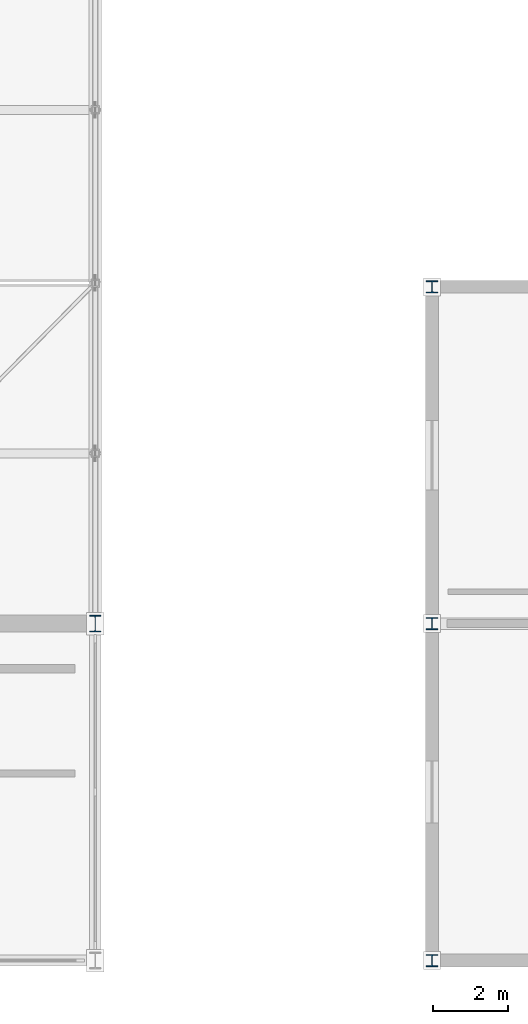
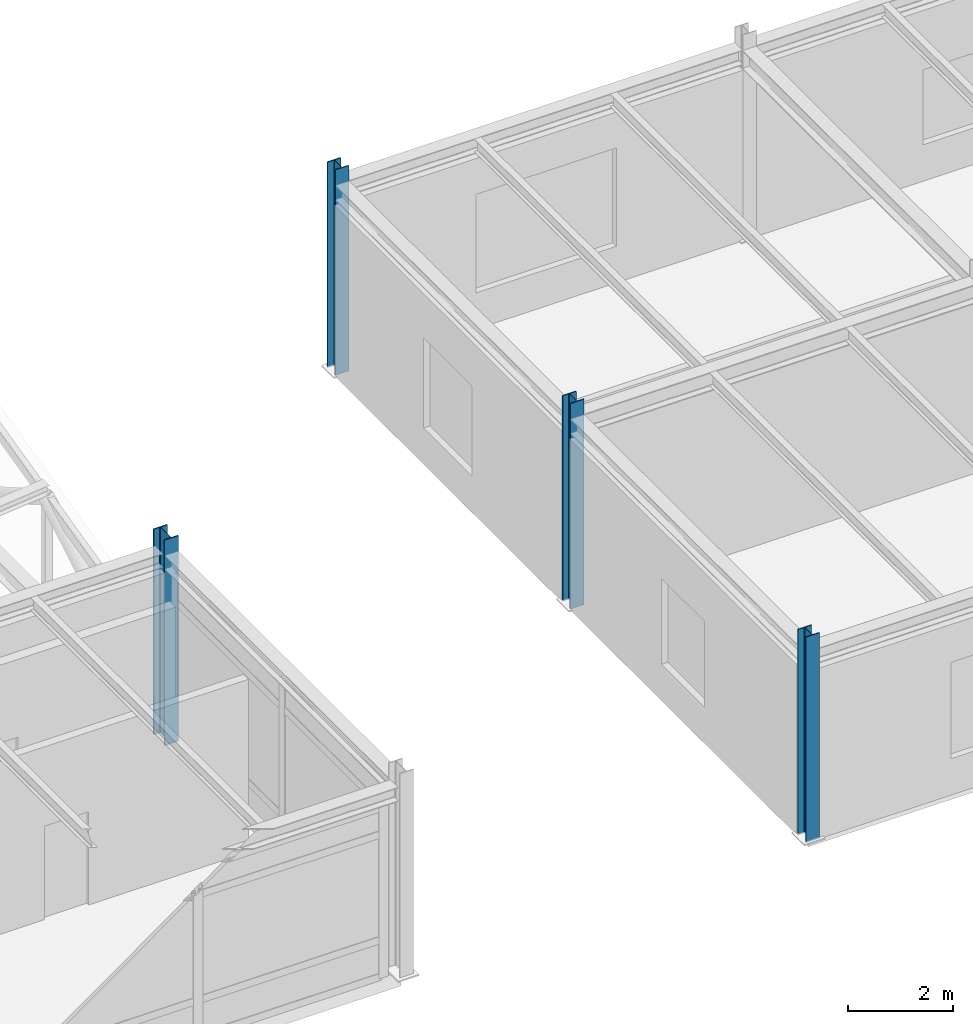
# One storey, part 4 of 90: 4 columns.
"""IFC4 building model written with IfcOpenShell, lengths in metres."""

from ifc_helpers import new_model, si_unit, direction, frame, origin, origin_2d, place, context, subcontext, project, spatial, i_section, extrude, material, material_profile, profile_set, type_object, element, save


model = new_model("IFC4")

# Units and contexts
model_context = context("Model", 3, precision=1e-05, world=origin(), true_north=direction((0.0, 1.0)))
body_context = subcontext(model_context, "Body", "Model", "MODEL_VIEW")
ifc_project = project(units=[si_unit("LENGTHUNIT", "METRE"), si_unit("AREAUNIT", "SQUARE_METRE"), si_unit("VOLUMEUNIT", "CUBIC_METRE"), si_unit("PLANEANGLEUNIT", "RADIAN"), si_unit("MASSUNIT", "GRAM", prefix="KILO")], contexts=[model_context])

# Site, building, storey
site_placement = place(None, origin())
site = spatial("IfcSite", under=ifc_project, at=site_placement, CompositionType="ELEMENT")
building_placement = place(site_placement, origin())
building = spatial("IfcBuilding", under=site, at=building_placement, Name="Bozkorgan Art Gallery", CompositionType="ELEMENT")
storey_placement = place(building_placement, frame((0.0, 0.0, 5.39990234375)))
storey = spatial("IfcBuildingStorey", under=building, at=storey_placement, Name="L01", CompositionType="ELEMENT", Elevation=5.39990234375)

# Columns
ifc_material = material(Name="Steel S355J2", Category="steel")
ifc_material_profile_1 = material_profile(ifc_material, i_section(OverallWidth=0.300048828125, OverallDepth=0.43994140625, WebThickness=0.011474609375, FlangeThickness=0.02099609375, FilletRadius=0.027099609375, at=origin_2d()), Name="HEA 450")
ifc_profile_set_1 = profile_set([ifc_material_profile_1], Name="Steel S355J2")
column_type_1 = type_object("IfcColumnType", Name="COLUMN-C-05", PredefinedType="COLUMN", material=ifc_profile_set_1)
column_placement = place(storey_placement, frame((119.0, 11.0, 0.0), z_axis=(0.0, 0.0, 1.0), x_axis=(1.0, 0.0, 0.0)))
element("IfcColumn", 1, at=column_placement, inside=storey, type_object=column_type_1, Name="V3 L01 column (119.0, 11.0)", PredefinedType="COLUMN", context=body_context, shape_type="SweptSolid", body=[
    extrude(i_section(OverallWidth=0.300048828125, OverallDepth=0.43994140625, WebThickness=0.011474609375, FlangeThickness=0.02099609375, FilletRadius=0.027099609375, at=origin_2d()), origin(), (0.0, 0.0, 1.0), 4.800048828125),
])
ifc_material_profile_2 = material_profile(ifc_material, i_section(OverallWidth=0.300048828125, OverallDepth=0.320068359375, WebThickness=0.011474609375, FlangeThickness=0.0205078125, FilletRadius=0.027099609375, at=origin_2d()), Name="HEB 320")
ifc_profile_set_2 = profile_set([ifc_material_profile_2], Name="Steel S355J2")
column_type_2 = type_object("IfcColumnType", Name="COLUMN-C-96", PredefinedType="COLUMN", material=ifc_profile_set_2)
for number, where, z_axis, x_axis, name in (
    (2, (128.0, 2.0, 0.0), (0.0, 0.0, 1.0), (1.0, 0.0, 0.0), "V6 L01 column (128.0, 2.0)"),
    (3, (128.0, 11.0, 0.0), (0.0, 0.0, 1.0), (1.0, 0.0, 0.0), "V6 L01 column (128.0, 11.0)"),
    (4, (128.0, 20.0, 0.0), (0.0, 0.0, 1.0), (1.0, 0.0, 0.0), "V6 L01 column (128.0, 20.0)"),
):
    element("IfcColumn", number, at=place(storey_placement, frame(where, z_axis=z_axis, x_axis=x_axis)), inside=storey, type_object=column_type_2, Name=name, PredefinedType="COLUMN", context=body_context, shape_type="SweptSolid", body=[
        extrude(i_section(OverallWidth=0.300048828125, OverallDepth=0.320068359375, WebThickness=0.011474609375, FlangeThickness=0.0205078125, FilletRadius=0.027099609375, at=origin_2d()), origin(), (0.0, 0.0, 1.0), 4.800048828125),
    ])

save(model, "model.ifc")
